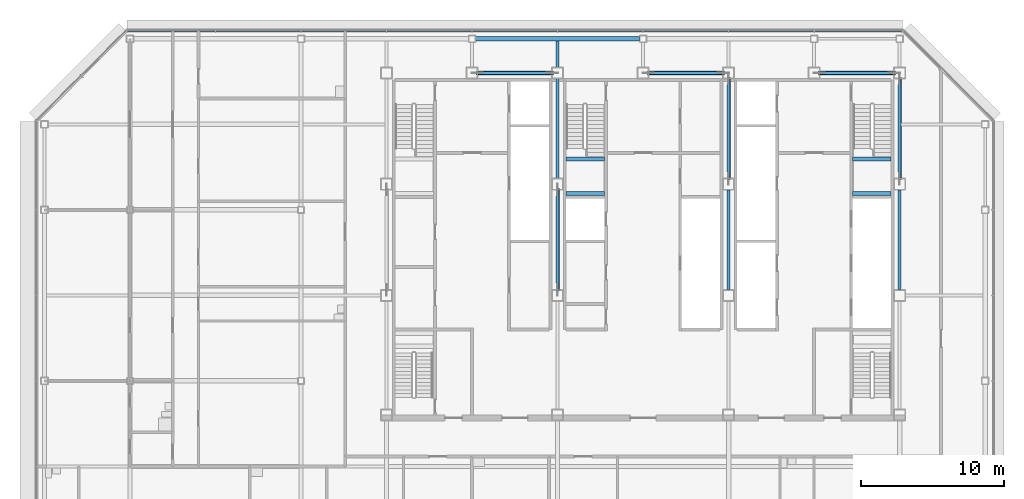
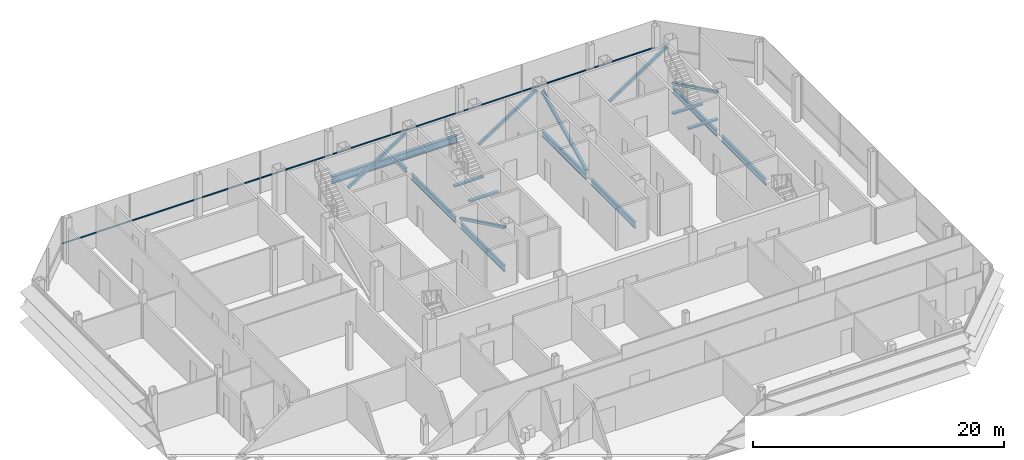
# One storey, part 15 of 29: 12 beams, 7 members, 1 element without a shape of its own.
"""IFC4 building model written with IfcOpenShell, lengths in metres."""

from ifc_helpers import new_model, si_unit, direction, frame, origin, origin_2d, place, context, subcontext, project, spatial, rectangle, hollow_rectangle, i_section, extrude, material, material_profile, profile_set, type_object, element, aggregate, save


model = new_model("IFC4")

# Units and contexts
model_context = context("Model", 3, precision=1e-05, world=origin(), true_north=direction((0.0, 1.0)))
body_context = subcontext(model_context, "Body", "Model", "MODEL_VIEW")
ifc_project = project(units=[si_unit("LENGTHUNIT", "METRE"), si_unit("AREAUNIT", "SQUARE_METRE"), si_unit("VOLUMEUNIT", "CUBIC_METRE"), si_unit("PLANEANGLEUNIT", "RADIAN"), si_unit("MASSUNIT", "GRAM", prefix="KILO")], contexts=[model_context])

# Site, building, storey
site_placement = place(None, origin())
site = spatial("IfcSite", under=ifc_project, at=site_placement, CompositionType="ELEMENT")
building_placement = place(site_placement, origin())
building = spatial("IfcBuilding", under=site, at=building_placement, Name="Sorahane Residences", CompositionType="ELEMENT")
storey_placement = place(building_placement, frame((0.0, 0.0, 326.800048828125)))
storey = spatial("IfcBuildingStorey", under=building, at=storey_placement, Name="L78", CompositionType="ELEMENT", Elevation=326.800048828125)

# Members
ifc_material_1 = material(Name="Steel Q355B", Category="steel")
ifc_material_profile_1 = material_profile(ifc_material_1, hollow_rectangle(XDim=0.25, YDim=0.25, WallThickness=0.011962890625, InnerFilletRadius=0.006103515625, OuterFilletRadius=0.01806640625, at=origin_2d()), Name="RHS 250x250x12")
ifc_profile_set_1 = profile_set([ifc_material_profile_1], Name="Steel Q355B")
member_type_1 = type_object("IfcMemberType", Name="Core brace RHS 250x250x12 Q355B", PredefinedType="BRACE", material=ifc_profile_set_1)
for number, where, z_axis, x_axis, name in (
    (1, (12.35888671875, 45.60009765625, 0.09814453125), (0.83698051766, 0.0, 0.547232686394), (0.0, 1.0, 0.0), "Core brace L78 y45.6-2"),
    (2, (24.35888671875, 45.60009765625, 0.09814453125), (0.83698051766, 0.0, 0.547232686394), (0.0, 1.0, 0.0), "Core brace L78 y45.6-4"),
    (3, (36.35888671875, 45.60009765625, 0.09814453125), (0.83698051766, 0.0, 0.547232686394), (0.0, 1.0, 0.0), "Core brace L78 y45.6-6"),
):
    element("IfcMember", number, at=place(storey_placement, frame(where, z_axis=z_axis, x_axis=x_axis)), inside=storey, type_object=member_type_1, Name=name, PredefinedType="BRACE", context=body_context, shape_type="SweptSolid", body=[
        extrude(hollow_rectangle(XDim=0.25, YDim=0.25, WallThickness=0.011962890625, InnerFilletRadius=0.006103515625, OuterFilletRadius=0.01806640625, at=origin_2d()), origin(), (0.0, 0.0, 1.0), 6.31103515625),
    ])
member_1_placement = place(storey_placement, frame((42.0, 45.232666015625, 0.109130859375), z_axis=(0.0, -0.899515138583, 0.436889591842), x_axis=(1.0, 0.0, 0.0)))
element("IfcMember", 4, at=member_1_placement, inside=storey, type_object=member_type_1, Name="Core brace L78 x42-3", PredefinedType="BRACE", context=body_context, shape_type="SweptSolid", body=[
    extrude(hollow_rectangle(XDim=0.25, YDim=0.25, WallThickness=0.011962890625, InnerFilletRadius=0.006103515625, OuterFilletRadius=0.01806640625, at=origin_2d()), origin(), (0.0, 0.0, 1.0), 7.854736328125),
])
member_2_placement = place(storey_placement, frame((18.0, 37.432861328125, 0.109130859375), z_axis=(0.0, -0.899521071047, 0.436877377238), x_axis=(1.0, 0.0, 0.0)))
element("IfcMember", 5, at=member_2_placement, inside=storey, type_object=member_type_1, Name="Core brace L78 x18-1", PredefinedType="BRACE", context=body_context, shape_type="SweptSolid", body=[
    extrude(hollow_rectangle(XDim=0.25, YDim=0.25, WallThickness=0.011962890625, InnerFilletRadius=0.006103515625, OuterFilletRadius=0.01806640625, at=origin_2d()), origin(), (0.0, 0.0, 1.0), 7.85498046875),
])
member_3_placement = place(storey_placement, frame((30.0, 38.167236328125, 0.109130859375), z_axis=(0.0, 0.899515138583, 0.436889591842), x_axis=(-1.0, 0.0, 0.0)))
element("IfcMember", 6, at=member_3_placement, inside=storey, type_object=member_type_1, Name="Core brace L78 x30-2", PredefinedType="BRACE", context=body_context, shape_type="SweptSolid", body=[
    extrude(hollow_rectangle(XDim=0.25, YDim=0.25, WallThickness=0.011962890625, InnerFilletRadius=0.006103515625, OuterFilletRadius=0.01806640625, at=origin_2d()), origin(), (0.0, 0.0, 1.0), 7.854736328125),
])

# Curtain wall, member
ifc_material_2 = material(Name="Dark low-e glass and black anodised aluminium", Category="aluminium")
curtain_wall_type = type_object("IfcCurtainWallType", Name="Curtain wall CW-1 Typical unitised wall", PredefinedType="NOTDEFINED", material=ifc_material_2)
curtain_wall_placement = place(storey_placement, origin())
curtain_wall = element("IfcCurtainWall", 7, at=curtain_wall_placement, inside=storey, type_object=curtain_wall_type, Name="CW-1 curtain wall L78 N1", PredefinedType="NOTDEFINED")
ifc_material_3 = material(Name="Black anodised aluminium", Category="aluminium")
ifc_material_profile_2 = material_profile(ifc_material_3, rectangle(XDim=0.10009765625, YDim=0.06005859375, at=origin_2d()), Name="Curtain wall transom CW-1 black anodised aluminium 60x100")
ifc_profile_set_2 = profile_set([ifc_material_profile_2], Name="Black anodised aluminium")
member_type_2 = type_object("IfcMemberType", Name="Curtain wall transom CW-1 black anodised aluminium 60x100", PredefinedType="USERDEFINED", material=ifc_profile_set_2)
member_4_placement = place(storey_placement, frame((42.198486328125, 48.530029296875, 1.5), z_axis=(-1.0, 0.0, 0.0), x_axis=(0.0, -1.0, 0.0)))
member_4 = element("IfcMember", 8, at=member_4_placement, type_object=member_type_2, Name="CW-1 transom L78 N1", ObjectType="TRANSOM", PredefinedType="USERDEFINED", context=body_context, shape_type="SweptSolid", body=[
    extrude(rectangle(XDim=0.10009765625, YDim=0.06005859375, at=origin_2d()), origin(), (0.0, 0.0, 1.0), 54.39697265625),
])
aggregate(curtain_wall, [member_4])

# Beams
ifc_material_4 = material(Name="Concrete C40", Category="concrete")
ifc_material_profile_3 = material_profile(ifc_material_4, rectangle(XDim=0.300048828125, YDim=0.139892578125, at=origin_2d()), Name="300x140")
ifc_profile_set_3 = profile_set([ifc_material_profile_3], Name="Concrete C40")
beam_type_1 = type_object("IfcBeamType", Name="RC landing beam 300 x 140 Concrete C40", PredefinedType="BEAM", material=ifc_profile_set_3)
for number, where, z_axis, x_axis, name in (
    (9, (38.699951171875, 37.14990234375, 1.7607421875), (1.0, 0.0, 0.0), (0.0, 1.0, 0.0), "Landing beam"),
    (10, (38.699951171875, 39.570068359375, 1.7607421875), (1.0, 0.0, 0.0), (0.0, 1.0, 0.0), "Landing beam"),
    (11, (18.60009765625, 37.14990234375, 1.7607421875), (1.0, 0.0, 0.0), (0.0, 1.0, 0.0), "Landing beam"),
    (12, (18.60009765625, 39.570068359375, 1.7607421875), (1.0, 0.0, 0.0), (0.0, 1.0, 0.0), "Landing beam"),
):
    element("IfcBeam", number, at=place(storey_placement, frame(where, z_axis=z_axis, x_axis=x_axis)), inside=storey, type_object=beam_type_1, Name=name, PredefinedType="BEAM", context=body_context, shape_type="SweptSolid", body=[
        extrude(rectangle(XDim=0.300048828125, YDim=0.139892578125, at=origin_2d()), origin(), (0.0, 0.0, 1.0), 2.699951171875),
    ])
ifc_material_5 = material(Name="Steel Q355B", Category="steel")
ifc_material_profile_4 = material_profile(ifc_material_5, i_section(OverallWidth=0.199951171875, OverallDepth=0.449951171875, WebThickness=0.009033203125, FlangeThickness=0.013916015625, FilletRadius=0.02001953125, at=origin_2d()), Name="HN 450x200x9x14")
ifc_profile_set_4 = profile_set([ifc_material_profile_4], Name="Steel Q355B")
beam_type_2 = type_object("IfcBeamType", Name="Steel floor beam HN 450x200x9x14 Q355B", PredefinedType="BEAM", material=ifc_profile_set_4)
beam_1_placement = place(storey_placement, frame((18.0, 46.0, -0.405029296875), z_axis=(0.0, 1.0, 0.0), x_axis=(-1.0, 0.0, 0.0)))
element("IfcBeam", 13, at=beam_1_placement, inside=storey, type_object=beam_type_2, Name="Beam L78 045", PredefinedType="BEAM", context=body_context, shape_type="SweptSolid", body=[
    extrude(i_section(OverallWidth=0.199951171875, OverallDepth=0.449951171875, WebThickness=0.009033203125, FlangeThickness=0.013916015625, FilletRadius=0.02001953125, at=origin_2d()), origin(), (0.0, 0.0, 1.0), 1.85009765625),
])
ifc_material_6 = material(Name="Steel Q355B", Category="steel")
ifc_material_profile_5 = material_profile(ifc_material_6, i_section(OverallWidth=0.199951171875, OverallDepth=0.60009765625, WebThickness=0.010986328125, FlangeThickness=0.01708984375, FilletRadius=0.02392578125, at=origin_2d()), Name="HN 600x200x11x17")
ifc_profile_set_5 = profile_set([ifc_material_profile_5], Name="Steel Q355B")
beam_type_3 = type_object("IfcBeamType", Name="Steel floor beam HN 600x200x11x17 Q355B", PredefinedType="BEAM", material=ifc_profile_set_5)
for number, where, z_axis, x_axis, name in (
    (14, (18.0, 30.39990234375, -0.47998046875), (0.0, 1.0, 0.0), (-1.0, 0.0, 0.0), "Beam L78 043"),
    (15, (18.0, 38.199951171875, -0.47998046875), (0.0, 1.0, 0.0), (-1.0, 0.0, 0.0), "Beam L78 044"),
    (16, (30.0, 30.39990234375, -0.47998046875), (0.0, 1.0, 0.0), (-1.0, 0.0, 0.0), "Beam L78 051"),
    (17, (30.0, 38.199951171875, -0.47998046875), (0.0, 1.0, 0.0), (-1.0, 0.0, 0.0), "Beam L78 052"),
    (18, (42.0, 30.39990234375, -0.47998046875), (0.0, 1.0, 0.0), (-1.0, 0.0, 0.0), "Beam L78 059"),
    (19, (42.0, 38.199951171875, -0.47998046875), (0.0, 1.0, 0.0), (-1.0, 0.0, 0.0), "Beam L78 060"),
):
    element("IfcBeam", number, at=place(storey_placement, frame(where, z_axis=z_axis, x_axis=x_axis)), inside=storey, type_object=beam_type_3, Name=name, PredefinedType="BEAM", context=body_context, shape_type="SweptSolid", body=[
        extrude(i_section(OverallWidth=0.199951171875, OverallDepth=0.60009765625, WebThickness=0.010986328125, FlangeThickness=0.01708984375, FilletRadius=0.02392578125, at=origin_2d()), origin(), (0.0, 0.0, 1.0), 7.0),
    ])
ifc_material_7 = material(Name="Steel Q355B", Category="steel")
ifc_material_profile_6 = material_profile(ifc_material_7, i_section(OverallWidth=0.300048828125, OverallDepth=0.699951171875, WebThickness=0.012939453125, FlangeThickness=0.02392578125, FilletRadius=0.028076171875, at=origin_2d()), Name="HN 700x300x13x24")
ifc_profile_set_6 = profile_set([ifc_material_profile_6], Name="Steel Q355B")
beam_type_4 = type_object("IfcBeamType", Name="Steel floor beam HN 700x300x13x24 Q355B", PredefinedType="BEAM", material=ifc_profile_set_6)
beam_2_placement = place(storey_placement, frame((12.25, 48.0, -0.530029296875), z_axis=(1.0, 0.0, 0.0), x_axis=(0.0, 1.0, 0.0)))
element("IfcBeam", 20, at=beam_2_placement, inside=storey, type_object=beam_type_4, Name="Beam L78 017", PredefinedType="BEAM", context=body_context, shape_type="SweptSolid", body=[
    extrude(i_section(OverallWidth=0.300048828125, OverallDepth=0.699951171875, WebThickness=0.012939453125, FlangeThickness=0.02392578125, FilletRadius=0.028076171875, at=origin_2d()), origin(), (0.0, 0.0, 1.0), 11.5),
])

save(model, "model.ifc")
